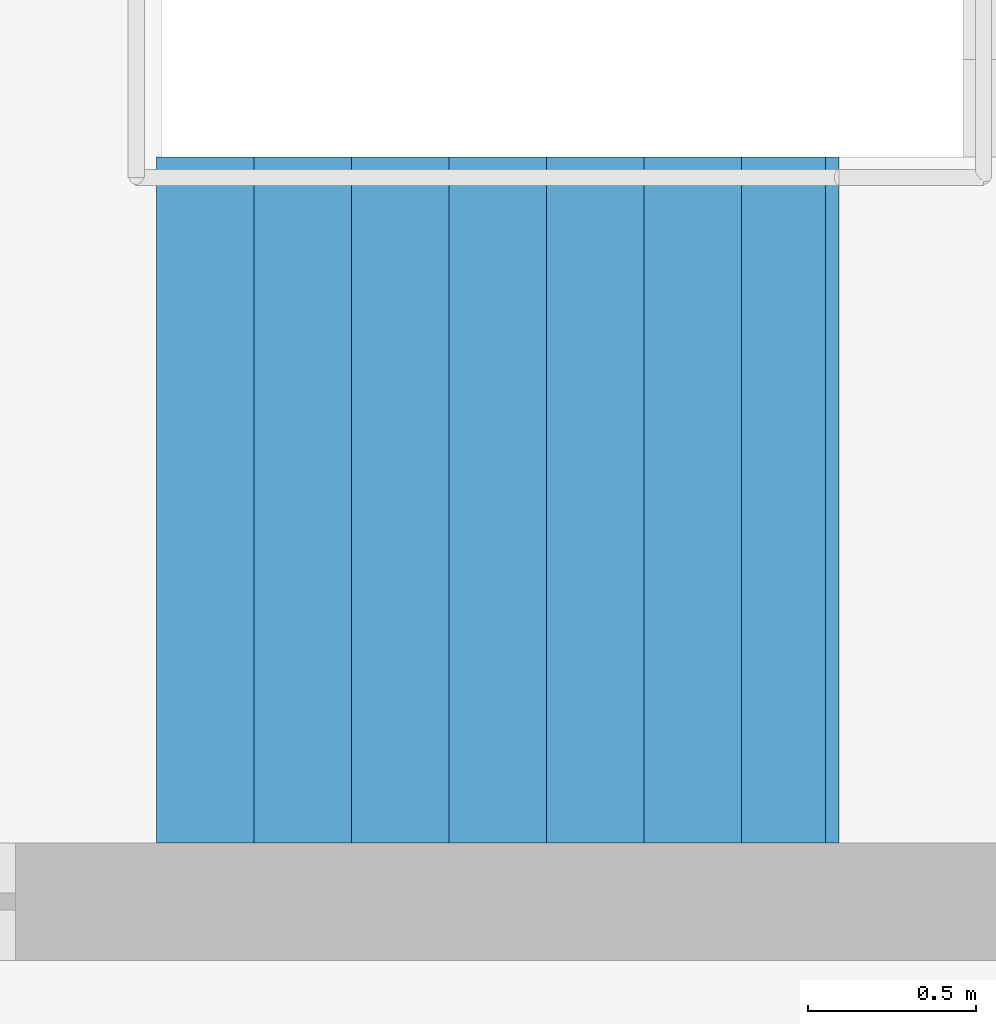
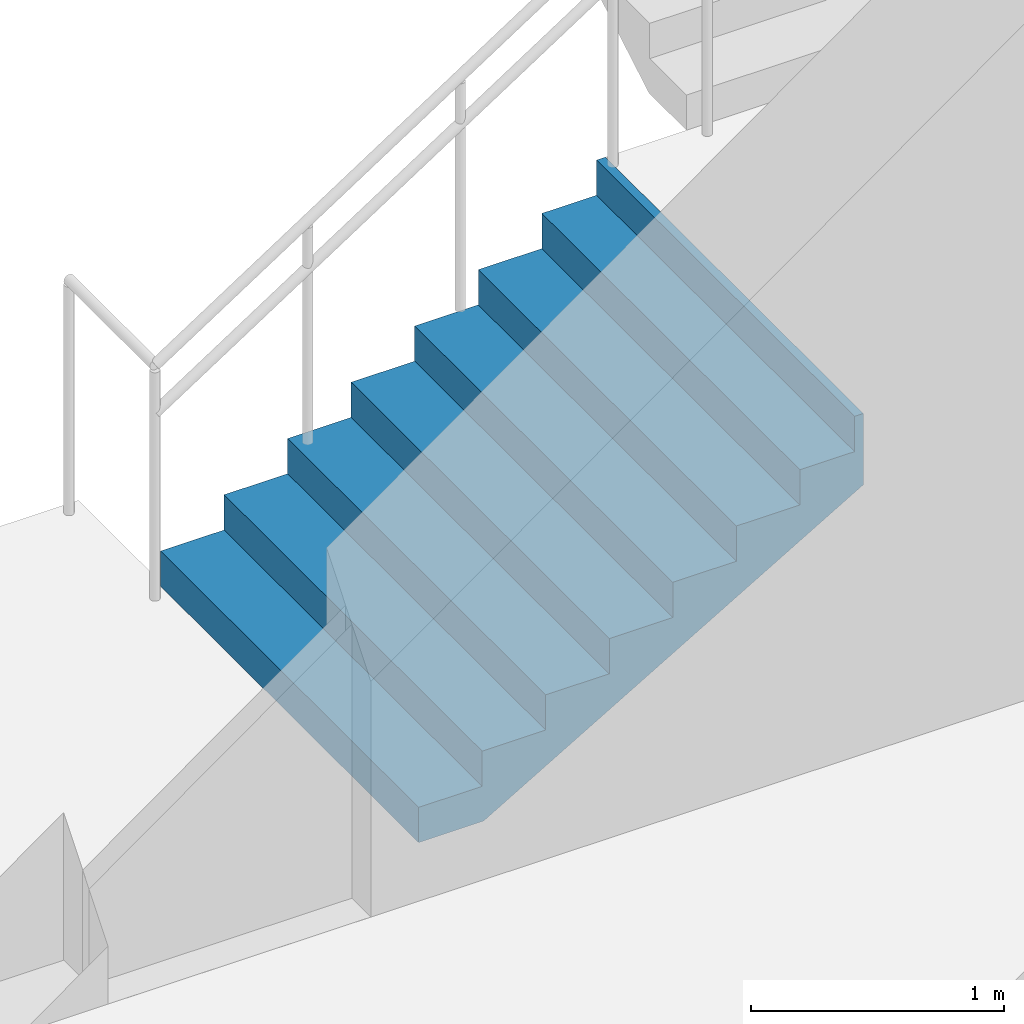
# One storey, part 60 of 66: 1 stair flight, 1 element without a shape of its own.
"""IFC4 building model written with IfcOpenShell, lengths in metres."""

from ifc_helpers import new_model, si_unit, direction, frame, origin, place, context, subcontext, project, spatial, triangles, material, type_object, element, aggregate, save


model = new_model("IFC4")

# Units and contexts
model_context = context("Model", 3, precision=1e-05, world=origin(), true_north=direction((0.0, 1.0)))
body_context = subcontext(model_context, "Body", "Model", "MODEL_VIEW")
ifc_project = project(units=[si_unit("LENGTHUNIT", "METRE"), si_unit("AREAUNIT", "SQUARE_METRE"), si_unit("VOLUMEUNIT", "CUBIC_METRE"), si_unit("PLANEANGLEUNIT", "RADIAN"), si_unit("MASSUNIT", "GRAM", prefix="KILO")], contexts=[model_context])

# Site, building, storey
site_placement = place(None, origin())
site = spatial("IfcSite", under=ifc_project, at=site_placement, CompositionType="ELEMENT")
building_placement = place(site_placement, origin())
building = spatial("IfcBuilding", under=site, at=building_placement, Name="Sillaruma Civic Art Gallery", CompositionType="ELEMENT")
storey_placement = place(building_placement, frame((0.0, 0.0, 57.1201171875)))
storey = spatial("IfcBuildingStorey", under=building, at=storey_placement, Name="L11", CompositionType="ELEMENT", Elevation=57.1201171875)

# Stair, stair flight
ifc_material = material(Name="Concrete H35 (35 MPa)", Category="concrete")
stair_type = type_object("IfcStairType", Name="STR-4F-30", PredefinedType="USERDEFINED", material=ifc_material)
stair_placement = place(storey_placement, origin())
stair = element("IfcStair", 1, at=stair_placement, inside=storey, type_object=stair_type, Name="Protected Exit Stair ST-02 (West Bar North) (L11)", ObjectType="THREE_RETURN_STAIR", PredefinedType="USERDEFINED")
stair_flight_type = type_object("IfcStairFlightType", Name="SFL-STR-8", PredefinedType="STRAIGHT", material=ifc_material)
stair_flight_placement = place(storey_placement, frame((64.800048828125, 81.929931640625, 0.0), z_axis=(0.0, 0.0, 1.0), x_axis=(1.0, 0.0, 0.0)))
stair_flight = element("IfcStairFlight", 2, at=stair_flight_placement, type_object=stair_flight_type, Name="ST-02 flight 1", NumberOfRisers=8, NumberOfTreads=7, PredefinedType="STRAIGHT", RiserHeight=0.17, TreadLength=0.29, context=body_context, shape_type="Tessellation", body=[
    triangles([(0.0, -1.02001953125, 0.0), (0.29, -1.02001953125, 0.0), (0.296443, -1.02001953125, 0.0), (0.58, -1.02001953125, 0.166223), (0.87, -1.02001953125, 0.336223), (1.16, -1.02001953125, 0.506223), (1.45, -1.02001953125, 0.676223), (1.74, -1.02001953125, 0.846223), (1.990029, -1.02001953125, 0.992792), (2.030029, -1.02001953125, 1.01624), (2.030029, -1.02001953125, 1.36), (1.990029, -1.02001953125, 1.36), (1.990029, -1.02001953125, 1.19), (1.74, -1.02001953125, 1.19), (1.74, -1.02001953125, 1.02), (1.45, -1.02001953125, 1.02), (1.45, -1.02001953125, 0.85), (1.16, -1.02001953125, 0.85), (1.16, -1.02001953125, 0.68), (0.87, -1.02001953125, 0.68), (0.87, -1.02001953125, 0.51), (0.58, -1.02001953125, 0.51), (0.58, -1.02001953125, 0.34), (0.296443, -1.02001953125, 0.34), (0.29, -1.02001953125, 0.34), (0.29, -1.02001953125, 0.17), (0.0, -1.02001953125, 0.17), (0.0, -0.05, 0.0), (0.29, -0.05, 0.0), (0.296443, -0.05, 0.0), (0.58, -0.05, 0.166223), (0.87, -0.05, 0.336223), (1.16, -0.05, 0.506223), (1.45, -0.05, 0.676223), (1.74, -0.05, 0.846223), (1.990029, -0.05, 0.992792), (2.030029, -0.05, 1.01624), (2.030029, -0.05, 1.36), (1.990029, -0.05, 1.36), (1.990029, -0.05, 1.19), (1.74, -0.05, 1.19), (1.74, -0.05, 1.02), (1.45, -0.05, 1.02), (1.45, -0.05, 0.85), (1.16, -0.05, 0.85), (1.16, -0.05, 0.68), (0.87, -0.05, 0.68), (0.87, -0.05, 0.51), (0.58, -0.05, 0.51), (0.58, -0.05, 0.34), (0.296443, -0.05, 0.34), (0.29, -0.05, 0.34), (0.29, -0.05, 0.17), (0.0, -0.05, 0.17), (0.0, -0.0375, 0.0), (0.29, -0.0375, 0.0), (0.296443, -0.0375, 0.0), (0.58, -0.0375, 0.166223), (0.87, -0.0375, 0.336223), (1.16, -0.0375, 0.506223), (1.45, -0.0375, 0.676223), (1.74, -0.0375, 0.846223), (1.990029, -0.0375, 0.992792), (2.030029, -0.0375, 1.01624), (2.030029, -0.0375, 1.36), (1.990029, -0.0375, 1.36), (1.990029, -0.0375, 1.19), (1.74, -0.0375, 1.19), (1.74, -0.0375, 1.02), (1.45, -0.0375, 1.02), (1.45, -0.0375, 0.85), (1.16, -0.0375, 0.85), (1.16, -0.0375, 0.68), (0.87, -0.0375, 0.68), (0.87, -0.0375, 0.51), (0.58, -0.0375, 0.51), (0.58, -0.0375, 0.34), (0.296443, -0.0375, 0.34), (0.29, -0.0375, 0.34), (0.29, -0.0375, 0.17), (0.0, -0.0375, 0.17), (0.0, -0.025, 0.0), (0.29, -0.025, 0.0), (0.296443, -0.025, 0.0), (0.58, -0.025, 0.166223), (0.87, -0.025, 0.336223), (1.16, -0.025, 0.506223), (1.45, -0.025, 0.676223), (1.74, -0.025, 0.846223), (1.990029, -0.025, 0.992792), (2.030029, -0.025, 1.01624), (2.030029, -0.025, 1.36), (1.990029, -0.025, 1.36), (1.990029, -0.025, 1.19), (1.74, -0.025, 1.19), (1.74, -0.025, 1.02), (1.45, -0.025, 1.02), (1.45, -0.025, 0.85), (1.16, -0.025, 0.85), (1.16, -0.025, 0.68), (0.87, -0.025, 0.68), (0.87, -0.025, 0.51), (0.58, -0.025, 0.51), (0.58, -0.025, 0.34), (0.296443, -0.025, 0.34), (0.29, -0.025, 0.34), (0.29, -0.025, 0.17), (0.0, -0.025, 0.17), (0.0, -0.0125, 0.0), (0.29, -0.0125, 0.0), (0.296443, -0.0125, 0.0), (0.58, -0.0125, 0.166223), (0.87, -0.0125, 0.336223), (1.16, -0.0125, 0.506223), (1.45, -0.0125, 0.676223), (1.74, -0.0125, 0.846223), (1.990029, -0.0125, 0.992792), (2.030029, -0.0125, 1.01624), (2.030029, -0.0125, 1.36), (1.990029, -0.0125, 1.36), (1.990029, -0.0125, 1.19), (1.74, -0.0125, 1.19), (1.74, -0.0125, 1.02), (1.45, -0.0125, 1.02), (1.45, -0.0125, 0.85), (1.16, -0.0125, 0.85), (1.16, -0.0125, 0.68), (0.87, -0.0125, 0.68), (0.87, -0.0125, 0.51), (0.58, -0.0125, 0.51), (0.58, -0.0125, 0.34), (0.296443, -0.0125, 0.34), (0.29, -0.0125, 0.34), (0.29, -0.0125, 0.17), (0.0, -0.0125, 0.17), (0.0, 0.0, 0.0), (0.29, 0.0, 0.0), (0.296443, 0.0, 0.0), (0.58, 0.0, 0.166223), (0.87, 0.0, 0.336223), (1.16, 0.0, 0.506223), (1.45, 0.0, 0.676223), (1.74, 0.0, 0.846223), (1.990029, 0.0, 0.992792), (2.030029, 0.0, 1.01624), (2.030029, 0.0, 1.36), (1.990029, 0.0, 1.36), (1.990029, 0.0, 1.19), (1.74, 0.0, 1.19), (1.74, 0.0, 1.02), (1.45, 0.0, 1.02), (1.45, 0.0, 0.85), (1.16, 0.0, 0.85), (1.16, 0.0, 0.68), (0.87, 0.0, 0.68), (0.87, 0.0, 0.51), (0.58, 0.0, 0.51), (0.58, 0.0, 0.34), (0.296443, 0.0, 0.34), (0.29, 0.0, 0.34), (0.29, 0.0, 0.17), (0.0, 0.0, 0.17), (0.0, 0.0125, 0.0), (0.29, 0.0125, 0.0), (0.296443, 0.0125, 0.0), (0.58, 0.0125, 0.166223), (0.87, 0.0125, 0.336223), (1.16, 0.0125, 0.506223), (1.45, 0.0125, 0.676223), (1.74, 0.0125, 0.846223), (1.990029, 0.0125, 0.992792), (2.030029, 0.0125, 1.01624), (2.030029, 0.0125, 1.36), (1.990029, 0.0125, 1.36), (1.990029, 0.0125, 1.19), (1.74, 0.0125, 1.19), (1.74, 0.0125, 1.02), (1.45, 0.0125, 1.02), (1.45, 0.0125, 0.85), (1.16, 0.0125, 0.85), (1.16, 0.0125, 0.68), (0.87, 0.0125, 0.68), (0.87, 0.0125, 0.51), (0.58, 0.0125, 0.51), (0.58, 0.0125, 0.34), (0.296443, 0.0125, 0.34), (0.29, 0.0125, 0.34), (0.29, 0.0125, 0.17), (0.0, 0.0125, 0.17), (0.0, 0.025, 0.0), (0.29, 0.025, 0.0), (0.296443, 0.025, 0.0), (0.58, 0.025, 0.166223), (0.87, 0.025, 0.336223), (1.16, 0.025, 0.506223), (1.45, 0.025, 0.676223), (1.74, 0.025, 0.846223), (1.990029, 0.025, 0.992792), (2.030029, 0.025, 1.01624), (2.030029, 0.025, 1.36), (1.990029, 0.025, 1.36), (1.990029, 0.025, 1.19), (1.74, 0.025, 1.19), (1.74, 0.025, 1.02), (1.45, 0.025, 1.02), (1.45, 0.025, 0.85), (1.16, 0.025, 0.85), (1.16, 0.025, 0.68), (0.87, 0.025, 0.68), (0.87, 0.025, 0.51), (0.58, 0.025, 0.51), (0.58, 0.025, 0.34), (0.296443, 0.025, 0.34), (0.29, 0.025, 0.34), (0.29, 0.025, 0.17), (0.0, 0.025, 0.17), (0.0, 0.0375, 0.0), (0.29, 0.0375, 0.0), (0.296443, 0.0375, 0.0), (0.58, 0.0375, 0.166223), (0.87, 0.0375, 0.336223), (1.16, 0.0375, 0.506223), (1.45, 0.0375, 0.676223), (1.74, 0.0375, 0.846223), (1.990029, 0.0375, 0.992792), (2.030029, 0.0375, 1.01624), (2.030029, 0.0375, 1.36), (1.990029, 0.0375, 1.36), (1.990029, 0.0375, 1.19), (1.74, 0.0375, 1.19), (1.74, 0.0375, 1.02), (1.45, 0.0375, 1.02), (1.45, 0.0375, 0.85), (1.16, 0.0375, 0.85), (1.16, 0.0375, 0.68), (0.87, 0.0375, 0.68), (0.87, 0.0375, 0.51), (0.58, 0.0375, 0.51), (0.58, 0.0375, 0.34), (0.296443, 0.0375, 0.34), (0.29, 0.0375, 0.34), (0.29, 0.0375, 0.17), (0.0, 0.0375, 0.17), (0.0, 0.05, 0.0), (0.29, 0.05, 0.0), (0.296443, 0.05, 0.0), (0.58, 0.05, 0.166223), (0.87, 0.05, 0.336223), (1.16, 0.05, 0.506223), (1.45, 0.05, 0.676223), (1.74, 0.05, 0.846223), (1.990029, 0.05, 0.992792), (2.030029, 0.05, 1.01624), (2.030029, 0.05, 1.36), (1.990029, 0.05, 1.36), (1.990029, 0.05, 1.19), (1.74, 0.05, 1.19), (1.74, 0.05, 1.02), (1.45, 0.05, 1.02), (1.45, 0.05, 0.85), (1.16, 0.05, 0.85), (1.16, 0.05, 0.68), (0.87, 0.05, 0.68), (0.87, 0.05, 0.51), (0.58, 0.05, 0.51), (0.58, 0.05, 0.34), (0.296443, 0.05, 0.34), (0.29, 0.05, 0.34), (0.29, 0.05, 0.17), (0.0, 0.05, 0.17), (0.0, 1.02001953125, 0.0), (0.29, 1.02001953125, 0.0), (0.296443, 1.02001953125, 0.0), (0.58, 1.02001953125, 0.166223), (0.87, 1.02001953125, 0.336223), (1.16, 1.02001953125, 0.506223), (1.45, 1.02001953125, 0.676223), (1.74, 1.02001953125, 0.846223), (1.990029, 1.02001953125, 0.992792), (2.030029, 1.02001953125, 1.01624), (2.030029, 1.02001953125, 1.36), (1.990029, 1.02001953125, 1.36), (1.990029, 1.02001953125, 1.19), (1.74, 1.02001953125, 1.19), (1.74, 1.02001953125, 1.02), (1.45, 1.02001953125, 1.02), (1.45, 1.02001953125, 0.85), (1.16, 1.02001953125, 0.85), (1.16, 1.02001953125, 0.68), (0.87, 1.02001953125, 0.68), (0.87, 1.02001953125, 0.51), (0.58, 1.02001953125, 0.51), (0.58, 1.02001953125, 0.34), (0.296443, 1.02001953125, 0.34), (0.29, 1.02001953125, 0.34), (0.29, 1.02001953125, 0.17), (0.0, 1.02001953125, 0.17)], [[1, 2, 26], [1, 26, 27], [2, 3, 24], [2, 24, 26], [26, 24, 25], [3, 4, 23], [3, 23, 24], [4, 5, 21], [4, 21, 23], [23, 21, 22], [5, 6, 19], [5, 19, 21], [21, 19, 20], [6, 7, 17], [6, 17, 19], [19, 17, 18], [7, 8, 15], [7, 15, 17], [17, 15, 16], [8, 9, 13], [8, 13, 15], [15, 13, 14], [9, 10, 11], [9, 11, 13], [13, 11, 12], [296, 272, 271], [297, 296, 271], [294, 273, 272], [296, 294, 272], [295, 294, 296], [293, 274, 273], [294, 293, 273], [291, 275, 274], [293, 291, 274], [292, 291, 293], [289, 276, 275], [291, 289, 275], [290, 289, 291], [287, 277, 276], [289, 287, 276], [288, 287, 289], [285, 278, 277], [287, 285, 277], [286, 285, 287], [283, 279, 278], [285, 283, 278], [284, 283, 285], [281, 280, 279], [283, 281, 279], [282, 281, 283], [2, 1, 28], [2, 28, 29], [3, 2, 29], [3, 29, 30], [4, 3, 30], [4, 30, 31], [5, 4, 31], [5, 31, 32], [6, 5, 32], [6, 32, 33], [7, 6, 33], [7, 33, 34], [8, 7, 34], [8, 34, 35], [9, 8, 35], [9, 35, 36], [10, 9, 36], [10, 36, 37], [11, 10, 37], [11, 37, 38], [12, 11, 38], [12, 38, 39], [13, 12, 39], [13, 39, 40], [14, 13, 40], [14, 40, 41], [15, 14, 41], [15, 41, 42], [16, 15, 42], [16, 42, 43], [17, 16, 43], [17, 43, 44], [18, 17, 44], [18, 44, 45], [19, 18, 45], [19, 45, 46], [20, 19, 46], [20, 46, 47], [21, 20, 47], [21, 47, 48], [22, 21, 48], [22, 48, 49], [23, 22, 49], [23, 49, 50], [24, 23, 50], [24, 50, 51], [25, 24, 51], [25, 51, 52], [26, 25, 52], [26, 52, 53], [27, 26, 53], [27, 53, 54], [1, 27, 54], [1, 54, 28], [29, 28, 55], [29, 55, 56], [30, 29, 56], [30, 56, 57], [31, 30, 57], [31, 57, 58], [32, 31, 58], [32, 58, 59], [33, 32, 59], [33, 59, 60], [34, 33, 60], [34, 60, 61], [35, 34, 61], [35, 61, 62], [36, 35, 62], [36, 62, 63], [37, 36, 63], [37, 63, 64], [38, 37, 64], [38, 64, 65], [39, 38, 65], [39, 65, 66], [40, 39, 66], [40, 66, 67], [41, 40, 67], [41, 67, 68], [42, 41, 68], [42, 68, 69], [43, 42, 69], [43, 69, 70], [44, 43, 70], [44, 70, 71], [45, 44, 71], [45, 71, 72], [46, 45, 72], [46, 72, 73], [47, 46, 73], [47, 73, 74], [48, 47, 74], [48, 74, 75], [49, 48, 75], [49, 75, 76], [50, 49, 76], [50, 76, 77], [51, 50, 77], [51, 77, 78], [52, 51, 78], [52, 78, 79], [53, 52, 79], [53, 79, 80], [54, 53, 80], [54, 80, 81], [28, 54, 81], [28, 81, 55], [56, 55, 82], [56, 82, 83], [57, 56, 83], [57, 83, 84], [58, 57, 84], [58, 84, 85], [59, 58, 85], [59, 85, 86], [60, 59, 86], [60, 86, 87], [61, 60, 87], [61, 87, 88], [62, 61, 88], [62, 88, 89], [63, 62, 89], [63, 89, 90], [64, 63, 90], [64, 90, 91], [65, 64, 91], [65, 91, 92], [66, 65, 92], [66, 92, 93], [67, 66, 93], [67, 93, 94], [68, 67, 94], [68, 94, 95], [69, 68, 95], [69, 95, 96], [70, 69, 96], [70, 96, 97], [71, 70, 97], [71, 97, 98], [72, 71, 98], [72, 98, 99], [73, 72, 99], [73, 99, 100], [74, 73, 100], [74, 100, 101], [75, 74, 101], [75, 101, 102], [76, 75, 102], [76, 102, 103], [77, 76, 103], [77, 103, 104], [78, 77, 104], [78, 104, 105], [79, 78, 105], [79, 105, 106], [80, 79, 106], [80, 106, 107], [81, 80, 107], [81, 107, 108], [55, 81, 108], [55, 108, 82], [83, 82, 109], [83, 109, 110], [84, 83, 110], [84, 110, 111], [85, 84, 111], [85, 111, 112], [86, 85, 112], [86, 112, 113], [87, 86, 113], [87, 113, 114], [88, 87, 114], [88, 114, 115], [89, 88, 115], [89, 115, 116], [90, 89, 116], [90, 116, 117], [91, 90, 117], [91, 117, 118], [92, 91, 118], [92, 118, 119], [93, 92, 119], [93, 119, 120], [94, 93, 120], [94, 120, 121], [95, 94, 121], [95, 121, 122], [96, 95, 122], [96, 122, 123], [97, 96, 123], [97, 123, 124], [98, 97, 124], [98, 124, 125], [99, 98, 125], [99, 125, 126], [100, 99, 126], [100, 126, 127], [101, 100, 127], [101, 127, 128], [102, 101, 128], [102, 128, 129], [103, 102, 129], [103, 129, 130], [104, 103, 130], [104, 130, 131], [105, 104, 131], [105, 131, 132], [106, 105, 132], [106, 132, 133], [107, 106, 133], [107, 133, 134], [108, 107, 134], [108, 134, 135], [82, 108, 135], [82, 135, 109], [110, 109, 136], [110, 136, 137], [111, 110, 137], [111, 137, 138], [112, 111, 138], [112, 138, 139], [113, 112, 139], [113, 139, 140], [114, 113, 140], [114, 140, 141], [115, 114, 141], [115, 141, 142], [116, 115, 142], [116, 142, 143], [117, 116, 143], [117, 143, 144], [118, 117, 144], [118, 144, 145], [119, 118, 145], [119, 145, 146], [120, 119, 146], [120, 146, 147], [121, 120, 147], [121, 147, 148], [122, 121, 148], [122, 148, 149], [123, 122, 149], [123, 149, 150], [124, 123, 150], [124, 150, 151], [125, 124, 151], [125, 151, 152], [126, 125, 152], [126, 152, 153], [127, 126, 153], [127, 153, 154], [128, 127, 154], [128, 154, 155], [129, 128, 155], [129, 155, 156], [130, 129, 156], [130, 156, 157], [131, 130, 157], [131, 157, 158], [132, 131, 158], [132, 158, 159], [133, 132, 159], [133, 159, 160], [134, 133, 160], [134, 160, 161], [135, 134, 161], [135, 161, 162], [109, 135, 162], [109, 162, 136], [137, 136, 163], [137, 163, 164], [138, 137, 164], [138, 164, 165], [139, 138, 165], [139, 165, 166], [140, 139, 166], [140, 166, 167], [141, 140, 167], [141, 167, 168], [142, 141, 168], [142, 168, 169], [143, 142, 169], [143, 169, 170], [144, 143, 170], [144, 170, 171], [145, 144, 171], [145, 171, 172], [146, 145, 172], [146, 172, 173], [147, 146, 173], [147, 173, 174], [148, 147, 174], [148, 174, 175], [149, 148, 175], [149, 175, 176], [150, 149, 176], [150, 176, 177], [151, 150, 177], [151, 177, 178], [152, 151, 178], [152, 178, 179], [153, 152, 179], [153, 179, 180], [154, 153, 180], [154, 180, 181], [155, 154, 181], [155, 181, 182], [156, 155, 182], [156, 182, 183], [157, 156, 183], [157, 183, 184], [158, 157, 184], [158, 184, 185], [159, 158, 185], [159, 185, 186], [160, 159, 186], [160, 186, 187], [161, 160, 187], [161, 187, 188], [162, 161, 188], [162, 188, 189], [136, 162, 189], [136, 189, 163], [164, 163, 190], [164, 190, 191], [165, 164, 191], [165, 191, 192], [166, 165, 192], [166, 192, 193], [167, 166, 193], [167, 193, 194], [168, 167, 194], [168, 194, 195], [169, 168, 195], [169, 195, 196], [170, 169, 196], [170, 196, 197], [171, 170, 197], [171, 197, 198], [172, 171, 198], [172, 198, 199], [173, 172, 199], [173, 199, 200], [174, 173, 200], [174, 200, 201], [175, 174, 201], [175, 201, 202], [176, 175, 202], [176, 202, 203], [177, 176, 203], [177, 203, 204], [178, 177, 204], [178, 204, 205], [179, 178, 205], [179, 205, 206], [180, 179, 206], [180, 206, 207], [181, 180, 207], [181, 207, 208], [182, 181, 208], [182, 208, 209], [183, 182, 209], [183, 209, 210], [184, 183, 210], [184, 210, 211], [185, 184, 211], [185, 211, 212], [186, 185, 212], [186, 212, 213], [187, 186, 213], [187, 213, 214], [188, 187, 214], [188, 214, 215], [189, 188, 215], [189, 215, 216], [163, 189, 216], [163, 216, 190], [191, 190, 217], [191, 217, 218], [192, 191, 218], [192, 218, 219], [193, 192, 219], [193, 219, 220], [194, 193, 220], [194, 220, 221], [195, 194, 221], [195, 221, 222], [196, 195, 222], [196, 222, 223], [197, 196, 223], [197, 223, 224], [198, 197, 224], [198, 224, 225], [199, 198, 225], [199, 225, 226], [200, 199, 226], [200, 226, 227], [201, 200, 227], [201, 227, 228], [202, 201, 228], [202, 228, 229], [203, 202, 229], [203, 229, 230], [204, 203, 230], [204, 230, 231], [205, 204, 231], [205, 231, 232], [206, 205, 232], [206, 232, 233], [207, 206, 233], [207, 233, 234], [208, 207, 234], [208, 234, 235], [209, 208, 235], [209, 235, 236], [210, 209, 236], [210, 236, 237], [211, 210, 237], [211, 237, 238], [212, 211, 238], [212, 238, 239], [213, 212, 239], [213, 239, 240], [214, 213, 240], [214, 240, 241], [215, 214, 241], [215, 241, 242], [216, 215, 242], [216, 242, 243], [190, 216, 243], [190, 243, 217], [218, 217, 244], [218, 244, 245], [219, 218, 245], [219, 245, 246], [220, 219, 246], [220, 246, 247], [221, 220, 247], [221, 247, 248], [222, 221, 248], [222, 248, 249], [223, 222, 249], [223, 249, 250], [224, 223, 250], [224, 250, 251], [225, 224, 251], [225, 251, 252], [226, 225, 252], [226, 252, 253], [227, 226, 253], [227, 253, 254], [228, 227, 254], [228, 254, 255], [229, 228, 255], [229, 255, 256], [230, 229, 256], [230, 256, 257], [231, 230, 257], [231, 257, 258], [232, 231, 258], [232, 258, 259], [233, 232, 259], [233, 259, 260], [234, 233, 260], [234, 260, 261], [235, 234, 261], [235, 261, 262], [236, 235, 262], [236, 262, 263], [237, 236, 263], [237, 263, 264], [238, 237, 264], [238, 264, 265], [239, 238, 265], [239, 265, 266], [240, 239, 266], [240, 266, 267], [241, 240, 267], [241, 267, 268], [242, 241, 268], [242, 268, 269], [243, 242, 269], [243, 269, 270], [217, 243, 270], [217, 270, 244], [245, 244, 271], [245, 271, 272], [246, 245, 272], [246, 272, 273], [247, 246, 273], [247, 273, 274], [248, 247, 274], [248, 274, 275], [249, 248, 275], [249, 275, 276], [250, 249, 276], [250, 276, 277], [251, 250, 277], [251, 277, 278], [252, 251, 278], [252, 278, 279], [253, 252, 279], [253, 279, 280], [254, 253, 280], [254, 280, 281], [255, 254, 281], [255, 281, 282], [256, 255, 282], [256, 282, 283], [257, 256, 283], [257, 283, 284], [258, 257, 284], [258, 284, 285], [259, 258, 285], [259, 285, 286], [260, 259, 286], [260, 286, 287], [261, 260, 287], [261, 287, 288], [262, 261, 288], [262, 288, 289], [263, 262, 289], [263, 289, 290], [264, 263, 290], [264, 290, 291], [265, 264, 291], [265, 291, 292], [266, 265, 292], [266, 292, 293], [267, 266, 293], [267, 293, 294], [268, 267, 294], [268, 294, 295], [269, 268, 295], [269, 295, 296], [270, 269, 296], [270, 296, 297], [244, 270, 297], [244, 297, 271]], closed=True),
])
aggregate(stair, [stair_flight])

save(model, "model.ifc")
